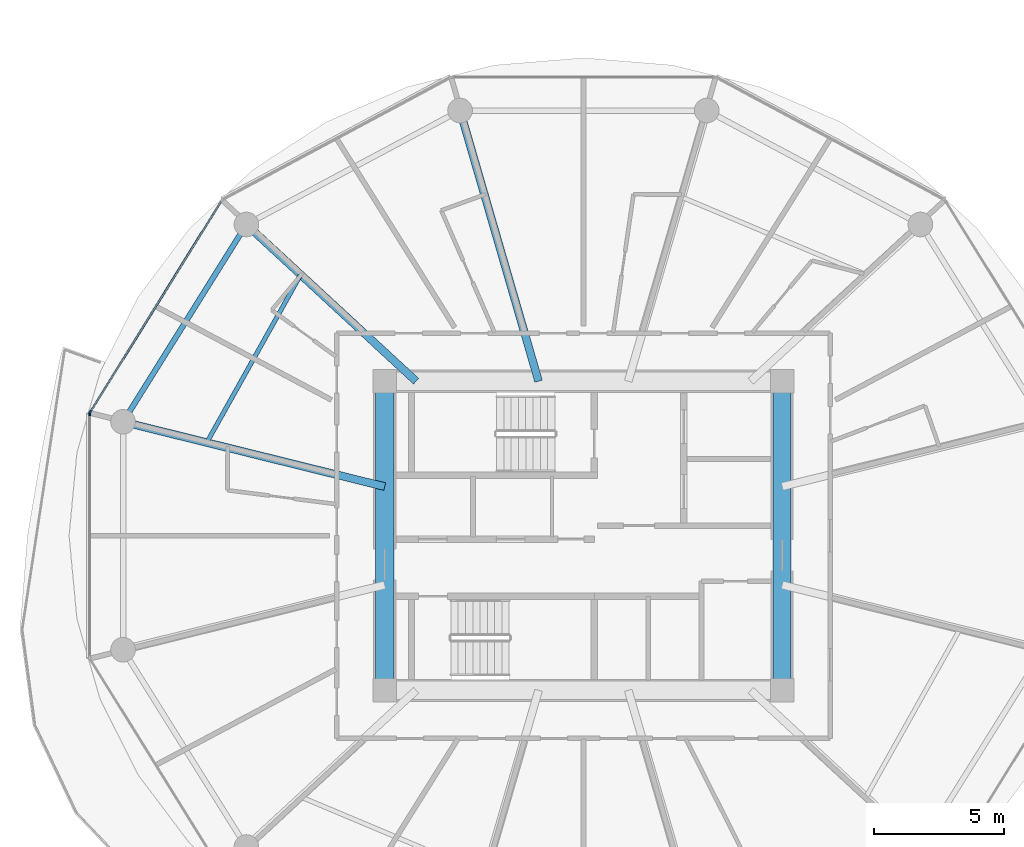
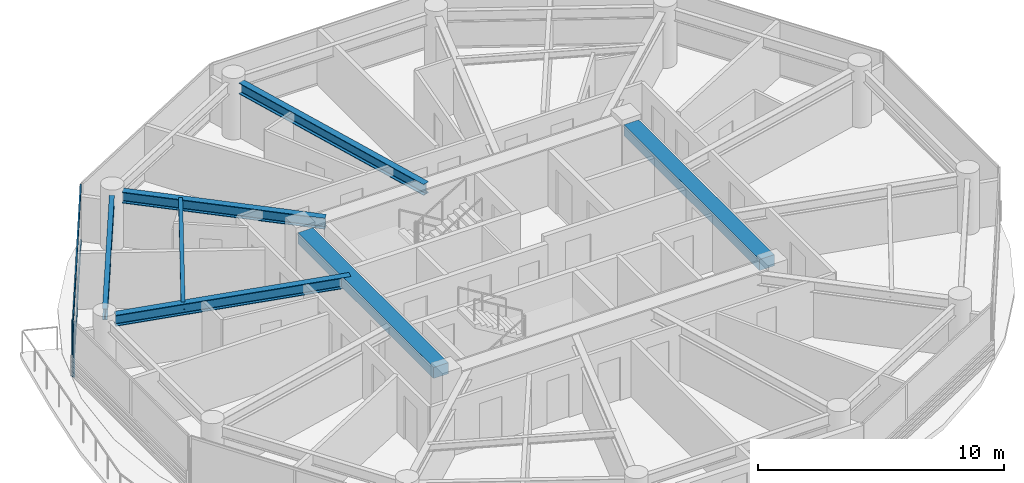
# One storey, part 4 of 27: 7 beams, 4 members, 2 elements without a shape of their own.
"""IFC4 building model written with IfcOpenShell, lengths in metres."""

import ifcopenshell
import ifcopenshell.guid

model = None  # the IFC model being written
_history = None  # IfcOwnerHistory: only IFC2X3 demands one
_inside = {}  # id of a spatial element -> (the spatial element, [elements in it])
_under = {}  # id of a project, library or spatial element -> (it, [spatial elements below it])
_declared = {}  # id of a project -> (the project, [libraries it declares])
_typed = {}  # id of a type object -> (the type object, [elements of that type])
_made_of = {}  # id of a material, layer set ... -> (it, [elements and type objects made of it])


def new_model(schema):
    """Start an empty IFC model of exactly this schema.

    Asked for "IFC4X3", IfcOpenShell would pick the latest addendum, in which some entities
    have other attributes; the version numbers below select the first issue.
    IFC2X3 requires an IfcOwnerHistory on every rooted entity: one is made here for all.
    """
    global model, _history
    if schema == "IFC4X3":
        model = ifcopenshell.file(schema_version=(4, 3, 0, 0))
    else:
        model = ifcopenshell.file(schema=schema)
    _inside.clear()
    _under.clear()
    _declared.clear()
    _typed.clear()
    _made_of.clear()
    _history = None
    if model.schema == "IFC2X3":
        org = make("IfcOrganization", Name="unknown")
        user = make(
            "IfcPersonAndOrganization",
            ThePerson=make("IfcPerson", FamilyName="unknown"),
            TheOrganization=org,
        )
        app = make(
            "IfcApplication",
            ApplicationDeveloper=org,
            Version="unknown",
            ApplicationFullName="unknown",
            ApplicationIdentifier="unknown",
        )
        _history = make(
            "IfcOwnerHistory",
            OwningUser=user,
            OwningApplication=app,
            ChangeAction="ADDED",
            CreationDate=0,
        )
    return model


def make(cls, **values):
    """One entity of the class cls with the attributes given. An attribute that is None is left unset."""
    return model.create_entity(
        cls, **{name: value for name, value in values.items() if value is not None}
    )


def rooted(cls, **values):
    """An entity with a GlobalId (a new one), such as an element, a storey or a relation."""
    return make(cls, GlobalId=ifcopenshell.guid.new(), OwnerHistory=_history, **values)


def si_unit(unit_type, name, prefix=None):
    """IfcSIUnit, for example si_unit("LENGTHUNIT", "METRE", prefix="MILLI")."""
    return make("IfcSIUnit", UnitType=unit_type, Prefix=prefix, Name=name)


def assignment(units):
    """IfcUnitAssignment: the units of a project."""
    return None if units is None else make("IfcUnitAssignment", Units=units)


def point(xyz):
    """IfcCartesianPoint."""
    return None if xyz is None else make("IfcCartesianPoint", Coordinates=xyz)


def direction(xyz):
    """IfcDirection."""
    return None if xyz is None else make("IfcDirection", DirectionRatios=xyz)


def frame(location, z_axis=None, x_axis=None):
    """IfcAxis2Placement3D, a coordinate frame: its origin and axes. An axis left out is left unset."""
    return make(
        "IfcAxis2Placement3D",
        Location=point(location),
        Axis=direction(z_axis),
        RefDirection=direction(x_axis),
    )


def frame_2d(location, x_axis=None):
    """IfcAxis2Placement2D, a coordinate frame in the plane: its origin and x axis."""
    return make(
        "IfcAxis2Placement2D", Location=point(location), RefDirection=direction(x_axis)
    )


def origin():
    """The frame at (0, 0, 0) with its axes left unset."""
    return frame((0.0, 0.0, 0.0))


def origin_2d():
    """The frame at (0, 0) in the plane with its x axis left unset."""
    return frame_2d((0.0, 0.0))


def place(relative_to, where):
    """IfcLocalPlacement: puts the frame where relative to a parent placement (None: the world)."""
    return make(
        "IfcLocalPlacement", PlacementRelTo=relative_to, RelativePlacement=where
    )


def context(
    kind, dimensions, precision=None, world=None, true_north=None, identifier=None
):
    """IfcGeometricRepresentationContext, for example the 3D "Model" context."""
    return make(
        "IfcGeometricRepresentationContext",
        ContextIdentifier=identifier,
        ContextType=kind,
        CoordinateSpaceDimension=dimensions,
        Precision=precision,
        WorldCoordinateSystem=world,
        TrueNorth=true_north,
    )


def subcontext(parent, identifier, kind, view, scale=None):
    """IfcGeometricRepresentationSubContext, for example "Body" below "Model"."""
    return make(
        "IfcGeometricRepresentationSubContext",
        ContextIdentifier=identifier,
        ContextType=kind,
        ParentContext=parent,
        TargetScale=scale,
        TargetView=view,
    )


def project(units=None, contexts=None):
    """IfcProject with its units and contexts."""
    return rooted(
        "IfcProject",
        Name="project",
        RepresentationContexts=contexts,
        UnitsInContext=assignment(units),
    )


def spatial(cls, under=None, at=None, **own):
    """A site, building, storey or space (cls), placed at a placement, below another one or the project."""
    s = rooted(cls, ObjectPlacement=at, **own)
    if under is not None:
        _under.setdefault(under.id(), (under, []))[1].append(s)
    return s


def profile(cls, at=None, kind="AREA", **sizes):
    """A parametric profile (cls). Its sizes go by their IFC names, for example OverallWidth=200.0."""
    return make(cls, ProfileType=kind, Position=at, **sizes)


def rectangle(**sizes):
    """IfcRectangleProfileDef."""
    return profile("IfcRectangleProfileDef", **sizes)


def i_section(**sizes):
    """IfcIShapeProfileDef."""
    return profile("IfcIShapeProfileDef", **sizes)


def extrude(swept, where, along, depth):
    """IfcExtrudedAreaSolid: the profile swept, set in the frame where, extruded along a direction by depth."""
    return make(
        "IfcExtrudedAreaSolid",
        SweptArea=swept,
        Position=where,
        ExtrudedDirection=direction(along),
        Depth=depth,
    )


def shape(context_of_items, identifier, shape_type, items):
    """IfcShapeRepresentation: the items that make up one representation, for example the "Body"."""
    return make(
        "IfcShapeRepresentation",
        ContextOfItems=context_of_items,
        RepresentationIdentifier=identifier,
        RepresentationType=shape_type,
        Items=items,
    )


def source(mapping_origin, context_of_items, identifier, shape_type, items):
    """IfcRepresentationMap: a shape defined once, which mapped items show again and again."""
    return make(
        "IfcRepresentationMap",
        MappingOrigin=mapping_origin,
        MappedRepresentation=shape(context_of_items, identifier, shape_type, items),
    )


def transform(
    local_origin,
    x_axis=None,
    y_axis=None,
    z_axis=None,
    scale=None,
    scale2=None,
    scale3=None,
    uniform=True,
):
    """IfcCartesianTransformationOperator3D, or its non-uniform kind. x_axis, y_axis, z_axis: its Axis1, 2, 3."""
    if uniform:
        return make(
            "IfcCartesianTransformationOperator3D",
            Axis1=direction(x_axis),
            Axis2=direction(y_axis),
            LocalOrigin=point(local_origin),
            Scale=scale,
            Axis3=direction(z_axis),
        )
    return make(
        "IfcCartesianTransformationOperator3DnonUniform",
        Axis1=direction(x_axis),
        Axis2=direction(y_axis),
        LocalOrigin=point(local_origin),
        Scale=scale,
        Axis3=direction(z_axis),
        Scale2=scale2,
        Scale3=scale3,
    )


def mapped(mapping_source, mapping_target):
    """IfcMappedItem: shows the shape of a source again, moved by a transform."""
    return make(
        "IfcMappedItem", MappingSource=mapping_source, MappingTarget=mapping_target
    )


def material(Name=None, Category=None):
    """IfcMaterial."""
    return make("IfcMaterial", Name=Name, Category=Category)


def layer(
    of_material, thickness, ventilated=None, Name=None, Category=None, Priority=None
):
    """IfcMaterialLayer: one layer of a wall or slab, of a material (None: an air gap)."""
    return make(
        "IfcMaterialLayer",
        Material=of_material,
        LayerThickness=thickness,
        IsVentilated=ventilated,
        Name=Name,
        Category=Category,
        Priority=Priority,
    )


def layer_set(layers, Name=None):
    """IfcMaterialLayerSet."""
    return make("IfcMaterialLayerSet", MaterialLayers=layers, LayerSetName=Name)


def material_profile(
    of_material, cross_section, Name=None, Category=None, Priority=None
):
    """IfcMaterialProfile: a cross section and its material."""
    return make(
        "IfcMaterialProfile",
        Name=Name,
        Material=of_material,
        Profile=cross_section,
        Priority=Priority,
        Category=Category,
    )


def profile_set(profiles, Name=None, composite=None):
    """IfcMaterialProfileSet."""
    return make(
        "IfcMaterialProfileSet",
        Name=Name,
        MaterialProfiles=profiles,
        CompositeProfile=composite,
    )


def made_of(thing, what):
    """Note that an element or type object is made of a material, layer set ...; save() writes the relation."""
    if what is not None:
        _made_of.setdefault(what.id(), (what, []))[1].append(thing)
    return thing


def type_object(cls, material=None, **own):
    """A type object (cls), such as IfcWallType, which elements share."""
    return made_of(rooted(cls, **own), material)


def type_shapes(of_type, sources):
    """Give a type object the sources (RepresentationMaps) that its elements show as mapped items."""
    of_type.RepresentationMaps = sources


def element(
    cls,
    number,
    at=None,
    inside=None,
    cuts=None,
    type_object=None,
    material=None,
    context=None,
    identifier="Body",
    shape_type=None,
    held_by="IfcProductDefinitionShape",
    body=None,
    shapes=None,
    **own,
):
    """One element of the class cls, such as IfcWall. Its Tag is "e" and its number.

    at: its placement. inside: the storey or other place that contains it. cuts: it is an
    opening in that element (IfcRelVoidsElement). A single representation is given by context,
    identifier, shape_type and body (its items); several are given by shapes. held_by: the class
    of the entity that holds the representations. save() writes the other relations.
    """
    e = rooted(cls, Tag="e%d" % number, ObjectPlacement=at, **own)
    if body is not None:
        shapes = [shape(context, identifier, shape_type, body)]
    if shapes is not None:
        e.Representation = make(held_by, Representations=shapes)
    if inside is not None:
        _inside.setdefault(inside.id(), (inside, []))[1].append(e)
    if cuts is not None:
        rooted(
            "IfcRelVoidsElement", RelatingBuildingElement=cuts, RelatedOpeningElement=e
        )
    if type_object is not None:
        _typed.setdefault(type_object.id(), (type_object, []))[1].append(e)
    return made_of(e, material)


def aggregate(whole, parts):
    """IfcRelAggregates: a whole, such as a stair, and the parts it consists of."""
    return rooted("IfcRelAggregates", RelatingObject=whole, RelatedObjects=parts)


def save(model, path):
    """Write the relations noted so far, then the file.

    IfcRelAggregates (storeys below a building ...), IfcRelContainedInSpatialStructure (elements
    in a storey), IfcRelDefinesByType, IfcRelAssociatesMaterial and IfcRelDeclares: one each for
    every whole, place, type object, material and project.
    """
    for whole, parts in _under.values():
        aggregate(whole, parts)
    for where, things in _inside.values():
        rooted(
            "IfcRelContainedInSpatialStructure",
            RelatedElements=things,
            RelatingStructure=where,
        )
    for kind, things in _typed.values():
        rooted("IfcRelDefinesByType", RelatedObjects=things, RelatingType=kind)
    for what, things in _made_of.values():
        rooted("IfcRelAssociatesMaterial", RelatedObjects=things, RelatingMaterial=what)
    for by, libraries in _declared.values():
        rooted("IfcRelDeclares", RelatingContext=by, RelatedDefinitions=libraries)
    model.write(path)


model = new_model("IFC4")

# Units and contexts
model_context = context("Model", 3, precision=1e-05, world=origin(), true_north=direction((0.0, 1.0)))
body_context = subcontext(model_context, "Body", "Model", "MODEL_VIEW")
ifc_project = project(units=[si_unit("LENGTHUNIT", "METRE"), si_unit("AREAUNIT", "SQUARE_METRE"), si_unit("VOLUMEUNIT", "CUBIC_METRE"), si_unit("PLANEANGLEUNIT", "RADIAN"), si_unit("MASSUNIT", "GRAM", prefix="KILO")], contexts=[model_context])

# Site, building, storey
site_placement = place(None, origin())
site = spatial("IfcSite", under=ifc_project, at=site_placement, CompositionType="ELEMENT")
building_placement = place(site_placement, origin())
building = spatial("IfcBuilding", under=site, at=building_placement, Name="Norrkilde Senior Care Towers", CompositionType="ELEMENT")
storey_placement = place(building_placement, frame((0.0, 0.0, 46.0)))
storey = spatial("IfcBuildingStorey", under=building, at=storey_placement, Name="L13", CompositionType="ELEMENT", Elevation=46.0)

# Beams
ifc_material_1 = material(Name="Concrete C60/75", Category="concrete")
ifc_material_profile_1 = material_profile(ifc_material_1, rectangle(XDim=0.699951171875, YDim=0.550048828125, at=origin_2d()), Name="RC BM 700x550")
ifc_profile_set_1 = profile_set([ifc_material_profile_1], Name="Concrete C60/75")
beam_type_1 = type_object("IfcBeamType", Name="Core Portal Coupling Beam 700x550", PredefinedType="USERDEFINED", material=ifc_profile_set_1)
shared_shape_1 = source(origin(), body_context, "Body", "SweptSolid", [
    extrude(rectangle(XDim=0.699951171875, YDim=0.550048828125, at=origin_2d()), origin(), (0.0, 0.0, 1.0), 11.0400390625),
])
type_shapes(beam_type_1, [shared_shape_1])
for number, where, z_axis, x_axis, name in (
    (1, (-35.64990234375, -5.52001953125, 2.514892578125), (0.0, 1.0, 0.0), (-1.0, 0.0, 0.0), "L13 Core W W Coupling Girder"),
    (2, (-20.35009765625, -5.52001953125, 2.514892578125), (0.0, 1.0, 0.0), (-1.0, 0.0, 0.0), "L13 Core W E Coupling Girder"),
):
    element("IfcBeam", number, at=place(storey_placement, frame(where, z_axis=z_axis, x_axis=x_axis)), inside=storey, type_object=beam_type_1, Name=name, ObjectType="GIRDER", PredefinedType="USERDEFINED", context=body_context, shape_type="MappedRepresentation", body=[
        mapped(shared_shape_1, transform((0.0, 0.0, 0.0), x_axis=(1.0, 0.0, 0.0), y_axis=(0.0, 1.0, 0.0), z_axis=(0.0, 0.0, 1.0), scale=1.0)),
    ])
ifc_material_2 = material(Name="Steel S355", Category="steel")
ifc_material_profile_2 = material_profile(ifc_material_2, i_section(OverallWidth=0.2099609375, OverallDepth=0.550048828125, WebThickness=0.010986328125, FlangeThickness=0.01708984375, FilletRadius=0.02392578125, at=origin_2d()), Name="IPE 550")
ifc_profile_set_2 = profile_set([ifc_material_profile_2], Name="Steel S355")
beam_type_2 = type_object("IfcBeamType", Name="Perimeter Ring Spandrel Z1 IPE550", PredefinedType="SPANDREL", material=ifc_profile_set_2)
shared_shape_2 = source(origin(), body_context, "Body", "SweptSolid", [
    extrude(i_section(OverallWidth=0.2099609375, OverallDepth=0.550048828125, WebThickness=0.010986328125, FlangeThickness=0.01708984375, FilletRadius=0.02392578125, at=origin_2d()), origin(), (0.0, 0.0, 1.0), 8.090576171875),
])
type_shapes(beam_type_2, [shared_shape_2])
beam_1_placement = place(storey_placement, frame((-41.2060546875, 11.61669921875, 2.514892578125), z_axis=(-0.530004364821, -0.84799491347, 0.0), x_axis=(0.84799491347, -0.530004364821, 0.0)))
element("IfcBeam", 3, at=beam_1_placement, inside=storey, type_object=beam_type_2, Name="L13 Drum W Perimeter Spandrel 05", PredefinedType="SPANDREL", context=body_context, shape_type="MappedRepresentation", body=[
    mapped(shared_shape_2, transform((0.0, 0.0, 0.0), x_axis=(1.0, 0.0, 0.0), y_axis=(0.0, 1.0, 0.0), z_axis=(0.0, 0.0, 1.0), scale=1.0)),
])
ifc_material_profile_3 = material_profile(ifc_material_2, i_section(OverallWidth=0.300048828125, OverallDepth=0.550048828125, WebThickness=0.014892578125, FlangeThickness=0.029052734375, FilletRadius=0.027099609375, at=origin_2d()), Name="HEB 550")
ifc_profile_set_3 = profile_set([ifc_material_profile_3], Name="Steel S355")
beam_type_3 = type_object("IfcBeamType", Name="Radial Floor Beam Z1 HEB550", PredefinedType="BEAM", material=ifc_profile_set_3)
shared_shape_3 = source(origin(), body_context, "Body", "SweptSolid", [
    extrude(i_section(OverallWidth=0.300048828125, OverallDepth=0.550048828125, WebThickness=0.014892578125, FlangeThickness=0.029052734375, FilletRadius=0.027099609375, at=origin_2d()), origin(), (0.0, 0.0, 1.0), 9.94384765625),
])
beam_2_placement = place(storey_placement, frame((-35.64990234375, 1.893310546875, 2.514892578125), z_axis=(-0.970707425182, 0.240264634718, 0.0), x_axis=(-0.240264634718, -0.970707425182, 0.0)))
element("IfcBeam", 4, at=beam_2_placement, inside=storey, type_object=beam_type_3, Name="L13 Drum W Radial Floor Beam 06", PredefinedType="BEAM", context=body_context, shape_type="MappedRepresentation", body=[
    mapped(shared_shape_3, transform((0.0, 0.0, 0.0), x_axis=(1.0, 0.0, 0.0), y_axis=(0.0, 1.0, 0.0), z_axis=(0.0, 0.0, 1.0), scale=1.0)),
])
shared_shape_4 = source(origin(), body_context, "Body", "SweptSolid", [
    extrude(i_section(OverallWidth=0.300048828125, OverallDepth=0.550048828125, WebThickness=0.014892578125, FlangeThickness=0.029052734375, FilletRadius=0.027099609375, at=origin_2d()), origin(), (0.0, 0.0, 1.0), 8.459716796875),
])
beam_3_placement = place(storey_placement, frame((-34.44140625, 5.949951171875, 2.514892578125), z_axis=(-0.734573269108, 0.678529374686, 0.0), x_axis=(-0.678529374686, -0.734573269108, 0.0)))
element("IfcBeam", 5, at=beam_3_placement, inside=storey, type_object=beam_type_3, Name="L13 Drum W Radial Floor Beam 05", PredefinedType="BEAM", context=body_context, shape_type="MappedRepresentation", body=[
    mapped(shared_shape_4, transform((0.0, 0.0, 0.0), x_axis=(1.0, 0.0, 0.0), y_axis=(0.0, 1.0, 0.0), z_axis=(0.0, 0.0, 1.0), scale=1.0)),
])
shared_shape_5 = source(origin(), body_context, "Body", "SweptSolid", [
    extrude(i_section(OverallWidth=0.300048828125, OverallDepth=0.550048828125, WebThickness=0.014892578125, FlangeThickness=0.029052734375, FilletRadius=0.027099609375, at=origin_2d()), origin(), (0.0, 0.0, 1.0), 10.4169921875),
])
type_shapes(beam_type_3, [shared_shape_3, shared_shape_4, shared_shape_5])
beam_4_placement = place(storey_placement, frame((-29.72607421875, 5.949951171875, 2.514892578125), z_axis=(-0.278591250785, 0.960409764104, 0.0), x_axis=(-0.960409764104, -0.278591250785, 0.0)))
element("IfcBeam", 6, at=beam_4_placement, inside=storey, type_object=beam_type_3, Name="L13 Drum W Radial Floor Beam 04", PredefinedType="BEAM", context=body_context, shape_type="MappedRepresentation", body=[
    mapped(shared_shape_5, transform((0.0, 0.0, 0.0), x_axis=(1.0, 0.0, 0.0), y_axis=(0.0, 1.0, 0.0), z_axis=(0.0, 0.0, 1.0), scale=1.0)),
])
ifc_material_profile_4 = material_profile(ifc_material_2, i_section(OverallWidth=0.169921875, OverallDepth=0.360107421875, WebThickness=0.008056640625, FlangeThickness=0.0126953125, FilletRadius=0.01806640625, at=origin_2d()), Name="IPE 360")
ifc_profile_set_4 = profile_set([ifc_material_profile_4], Name="Steel S355")
beam_type_4 = type_object("IfcBeamType", Name="Secondary Floor Joist IPE360", PredefinedType="JOIST", material=ifc_profile_set_4)
shared_shape_6 = source(origin(), body_context, "Body", "SweptSolid", [
    extrude(i_section(OverallWidth=0.169921875, OverallDepth=0.360107421875, WebThickness=0.008056640625, FlangeThickness=0.0126953125, FilletRadius=0.01806640625, at=origin_2d()), origin(), (0.0, 0.0, 1.0), 7.40771484375),
])
type_shapes(beam_type_4, [shared_shape_6])
beam_5_placement = place(storey_placement, frame((-38.884521484375, 10.05419921875, 2.610107421875), z_axis=(-0.488167754092, -0.872749817453, 0.0), x_axis=(0.872749817453, -0.488167754092, 0.0)))
element("IfcBeam", 7, at=beam_5_placement, inside=storey, type_object=beam_type_4, Name="L13 Drum W Secondary Floor Joist 2", PredefinedType="JOIST", context=body_context, shape_type="MappedRepresentation", body=[
    mapped(shared_shape_6, transform((0.0, 0.0, 0.0), x_axis=(1.0, 0.0, 0.0), y_axis=(0.0, 1.0, 0.0), z_axis=(0.0, 0.0, 1.0), scale=1.0)),
])

# Curtain wall, member
ifc_material_3 = material(Name="Triple Low-E Insulated Glazing", Category="glass")
ifc_layer = layer(ifc_material_3, 0.199951171875)
ifc_layer_set = layer_set([ifc_layer], Name="Triple Low-E Insulated Glazing")
curtain_wall_type = type_object("IfcCurtainWallType", Name="CW2 Zone 1 Memory Care Curtain Wall", PredefinedType="NOTDEFINED", material=ifc_layer_set)
curtain_wall_1_placement = place(storey_placement, origin())
curtain_wall_1 = element("IfcCurtainWall", 8, at=curtain_wall_1_placement, inside=storey, type_object=curtain_wall_type, Name="L13 Drum W Curtain Wall 04", PredefinedType="NOTDEFINED")
ifc_material_4 = material(Name="Anodised Aluminium", Category="aluminium")
ifc_material_profile_5 = material_profile(ifc_material_4, rectangle(XDim=0.06494140625, YDim=0.159912109375, at=origin_2d()), Name="ALU MULL 65x160")
ifc_profile_set_5 = profile_set([ifc_material_profile_5], Name="Anodised Aluminium")
member_type_1 = type_object("IfcMemberType", Name="Curtain Wall Mullion Z1-Z2 65x160", PredefinedType="MULLION", material=ifc_profile_set_5)
shared_shape_7 = source(origin(), body_context, "Body", "SweptSolid", [
    extrude(rectangle(XDim=0.06494140625, YDim=0.159912109375, at=origin_2d()), origin(), (0.0, 0.0, 1.0), 2.7900390625),
])
type_shapes(member_type_1, [shared_shape_7])
member_1_placement = place(storey_placement, frame((-46.9921875, 4.7587890625, 0.0), z_axis=(0.0, 0.0, 1.0), x_axis=(-0.849305943117, 0.527900951871, 0.0)))
member_1 = element("IfcMember", 9, at=member_1_placement, type_object=member_type_1, Name="CW-2 mullion 1", PredefinedType="MULLION", context=body_context, shape_type="MappedRepresentation", body=[
    mapped(shared_shape_7, transform((0.0, 0.0, 0.0), x_axis=(1.0, 0.0, 0.0), y_axis=(0.0, 1.0, 0.0), z_axis=(0.0, 0.0, 1.0), scale=1.0)),
])

curtain_wall_2_placement = place(storey_placement, origin())
curtain_wall_2 = element("IfcCurtainWall", 10, at=curtain_wall_2_placement, inside=storey, type_object=curtain_wall_type, Name="L13 Drum W Curtain Wall 05", PredefinedType="NOTDEFINED")
member_2_placement = place(storey_placement, frame((-47.009521484375, 4.69873046875, 0.0), z_axis=(0.0, 0.0, 1.0), x_axis=(-1.0, 0.0, 0.0)))
member_2 = element("IfcMember", 11, at=member_2_placement, type_object=member_type_1, Name="CW-2 mullion 2", PredefinedType="MULLION", context=body_context, shape_type="MappedRepresentation", body=[
    mapped(shared_shape_7, transform((0.0, 0.0, 0.0), x_axis=(1.0, 0.0, 0.0), y_axis=(0.0, 1.0, 0.0), z_axis=(0.0, 0.0, 1.0), scale=1.0)),
])
aggregate(curtain_wall_2, [member_2])

# Member
ifc_material_profile_6 = material_profile(ifc_material_4, rectangle(XDim=0.06005859375, YDim=0.1201171875, at=origin_2d()), Name="ALU TRAN 60x120")
ifc_profile_set_6 = profile_set([ifc_material_profile_6], Name="Anodised Aluminium")
member_type_2 = type_object("IfcMemberType", Name="Curtain Wall Transom Typical 60x120", PredefinedType="USERDEFINED", material=ifc_profile_set_6)
shared_shape_8 = source(origin(), body_context, "Body", "SweptSolid", [
    extrude(rectangle(XDim=0.06005859375, YDim=0.1201171875, at=origin_2d()), origin(), (0.0, 0.0, 1.0), 9.5185546875),
])
type_shapes(member_type_2, [shared_shape_8])
member_3_placement = place(storey_placement, frame((-46.97509765625, 4.786376953125, 0.030029296875), z_axis=(0.527901620669, 0.849305527413, 0.0), x_axis=(-0.849305527413, 0.527901620669, 0.0)))
member_3 = element("IfcMember", 12, at=member_3_placement, type_object=member_type_2, Name="CW-2 transom 1.1", ObjectType="TRANSOM", PredefinedType="USERDEFINED", context=body_context, shape_type="MappedRepresentation", body=[
    mapped(shared_shape_8, transform((0.0, 0.0, 0.0), x_axis=(1.0, 0.0, 0.0), y_axis=(0.0, 1.0, 0.0), z_axis=(0.0, 0.0, 1.0), scale=1.0)),
])

member_4_placement = place(storey_placement, frame((-46.97509765625, 4.786376953125, 2.760009765625), z_axis=(0.527901620669, 0.849305527413, 0.0), x_axis=(-0.849305527413, 0.527901620669, 0.0)))
member_4 = element("IfcMember", 13, at=member_4_placement, type_object=member_type_2, Name="CW-2 transom 1.2", ObjectType="TRANSOM", PredefinedType="USERDEFINED", context=body_context, shape_type="MappedRepresentation", body=[
    mapped(shared_shape_8, transform((0.0, 0.0, 0.0), x_axis=(1.0, 0.0, 0.0), y_axis=(0.0, 1.0, 0.0), z_axis=(0.0, 0.0, 1.0), scale=1.0)),
])

aggregate(curtain_wall_1, [member_1, member_3, member_4])

save(model, "model.ifc")
